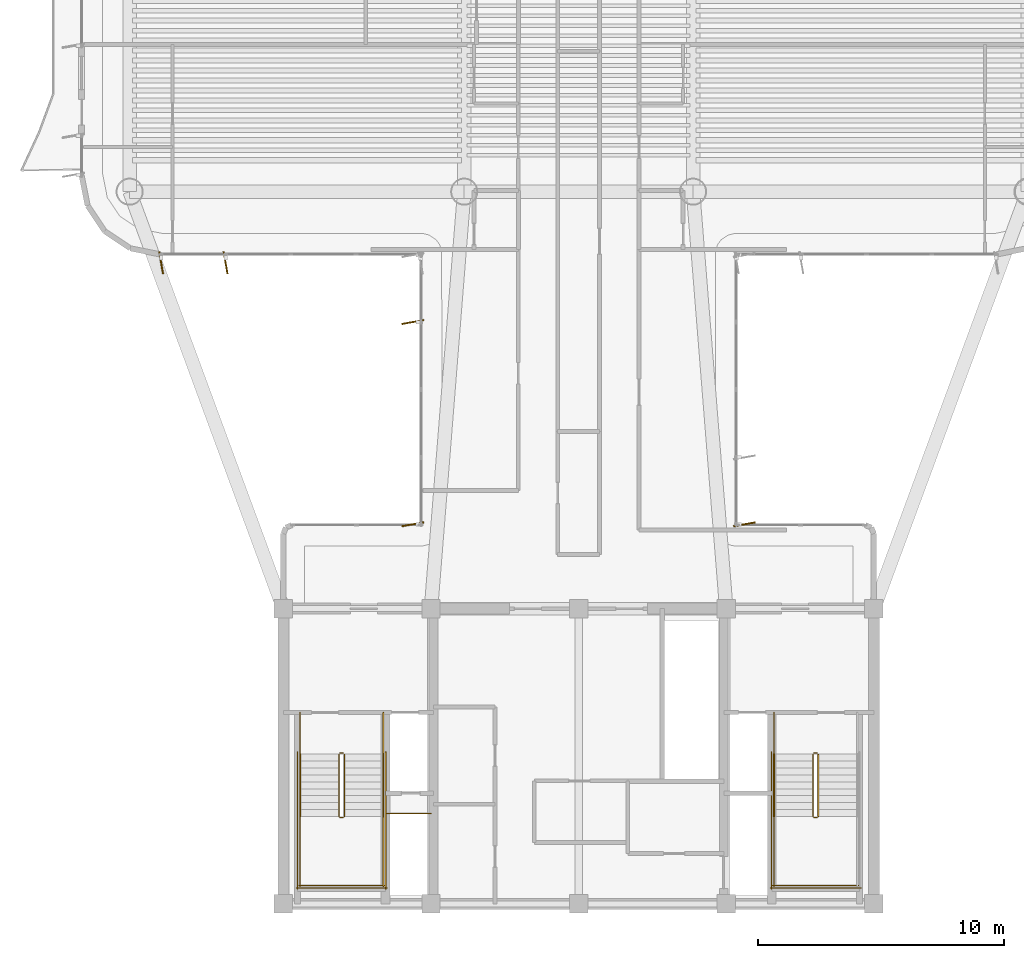
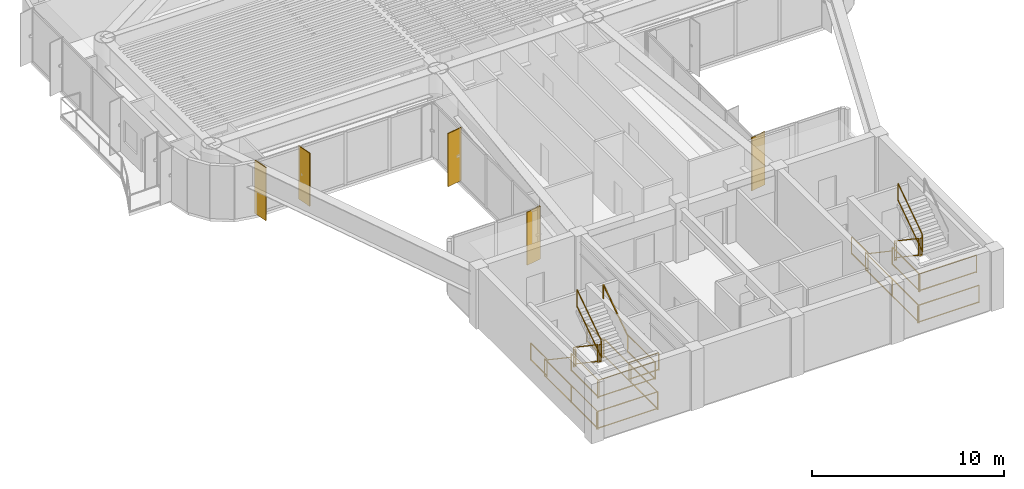
# One storey, part 12 of 13: 25 railings, 5 shading devices.
"""IFC4 building model written with IfcOpenShell, lengths in metres."""

from ifc_helpers import new_model, si_unit, direction, frame, origin, origin_2d, place, context, subcontext, project, spatial, rectangle, extrude, source, transform, mapped, material, layer, layer_set, material_profile, profile_set, type_object, element, save


model = new_model("IFC4")

# Units and contexts
model_context = context("Model", 3, precision=1e-05, world=origin(), true_north=direction((0.0, 1.0)))
body_context = subcontext(model_context, "Body", "Model", "MODEL_VIEW")
ifc_project = project(units=[si_unit("LENGTHUNIT", "METRE"), si_unit("AREAUNIT", "SQUARE_METRE"), si_unit("VOLUMEUNIT", "CUBIC_METRE"), si_unit("PLANEANGLEUNIT", "RADIAN"), si_unit("MASSUNIT", "GRAM", prefix="KILO")], contexts=[model_context])

# Site, building, storey
site_placement = place(None, origin())
site = spatial("IfcSite", under=ifc_project, at=site_placement, CompositionType="ELEMENT")
building_placement = place(site_placement, origin())
building = spatial("IfcBuilding", under=site, at=building_placement, Name="Brelvock Crest Care Tower", CompositionType="ELEMENT")
storey_placement = place(building_placement, frame((0.0, 0.0, 209.340087890625)))
storey = spatial("IfcBuildingStorey", under=building, at=storey_placement, Name="L53", CompositionType="ELEMENT", Elevation=209.340087890625)

# Railings
ifc_material_1 = material(Name="Steel Grade 350", Category="steel")
ifc_layer_1 = layer(ifc_material_1, 0.050048828125, Name="RL-STG1")
ifc_layer_set_1 = layer_set([ifc_layer_1], Name="Steel Grade 350")
railing_type_1 = type_object("IfcRailingType", Name="RL-STG1", PredefinedType="GUARDRAIL", material=ifc_layer_set_1)
railing_1_placement = place(storey_placement, frame((26.260009765625, 12.080078125, 0.18896484375)))
element("IfcRailing", 1, at=railing_1_placement, inside=storey, type_object=railing_type_1, Name="L53 ST-1 stair guard 1", PredefinedType="GUARDRAIL", context=body_context, shape_type="SweptSolid", body=[
    extrude(rectangle(XDim=0.048095703125, YDim=0.048095703125, at=origin_2d()), frame((0.0, -0.001708984375, 1.116943359375), z_axis=(0.0, -0.828861706735, 0.559453546873), x_axis=(1.0, 0.0, 0.0)), (0.0, 0.0, 1.0), 3.036376953125),
    extrude(rectangle(XDim=0.048095703125, YDim=0.048095703125, at=origin_2d()), frame((0.0, -0.001708984375, 0.05615234375), z_axis=(0.0, -0.828861706735, 0.559453546873), x_axis=(1.0, 0.0, 0.0)), (0.0, 0.0, 1.0), 3.036376953125),
    extrude(rectangle(XDim=0.0419921875, YDim=0.0419921875, at=origin_2d()), origin(), (0.0, 0.0, 1.0), 1.08984375),
    extrude(rectangle(XDim=0.0419921875, YDim=0.0419921875, at=origin_2d()), frame((0.0, -2.52001953125, 1.700927734375)), (0.0, 0.0, 1.0), 1.08984375),
])
railing_2_placement = place(storey_placement, frame((26.31005859375, 9.510009765625, 1.889892578125)))
element("IfcRailing", 2, at=railing_2_placement, inside=storey, type_object=railing_type_1, Name="L53 ST-1 stair guard 2", PredefinedType="GUARDRAIL", context=body_context, shape_type="SweptSolid", body=[
    extrude(rectangle(XDim=0.048095703125, YDim=0.048095703125, at=origin_2d()), frame((0.001953125, 0.0, 1.11572265625), z_axis=(1.0, 0.0, 0.0), x_axis=(0.0, 1.0, 0.0)), (0.0, 0.0, 1.0), 0.115966796875),
    extrude(rectangle(XDim=0.048095703125, YDim=0.048095703125, at=origin_2d()), frame((0.001953125, 0.0, 0.054931640625), z_axis=(1.0, 0.0, 0.0), x_axis=(0.0, 1.0, 0.0)), (0.0, 0.0, 1.0), 0.115966796875),
    extrude(rectangle(XDim=0.0419921875, YDim=0.0419921875, at=origin_2d()), origin(), (0.0, 0.0, 1.0), 1.08984375),
    extrude(rectangle(XDim=0.0419921875, YDim=0.0419921875, at=origin_2d()), frame((0.119873046875, 0.0, 0.0)), (0.0, 0.0, 1.0), 1.08984375),
])
for number, where, name in (
    (3, (24.679931640625, 9.56005859375, 1.889892578125), "L53 ST-1 stair guard 3"),
    (4, (28.06005859375, 9.56005859375, 1.889892578125), "L53 ST-1 stair guard 4"),
):
    element("IfcRailing", number, at=place(storey_placement, frame(where)), inside=storey, type_object=railing_type_1, Name=name, PredefinedType="GUARDRAIL", context=body_context, shape_type="SweptSolid", body=[
        extrude(rectangle(XDim=0.048095703125, YDim=0.048095703125, at=origin_2d()), frame((0.0, -0.001953125, 1.11572265625), z_axis=(0.0, -1.0, 0.0), x_axis=(1.0, 0.0, 0.0)), (0.0, 0.0, 1.0), 2.856201171875),
        extrude(rectangle(XDim=0.048095703125, YDim=0.048095703125, at=origin_2d()), frame((0.0, -0.001953125, 0.054931640625), z_axis=(0.0, -1.0, 0.0), x_axis=(1.0, 0.0, 0.0)), (0.0, 0.0, 1.0), 2.856201171875),
        extrude(rectangle(XDim=0.0419921875, YDim=0.0419921875, at=origin_2d()), origin(), (0.0, 0.0, 1.0), 1.08984375),
        extrude(rectangle(XDim=0.0419921875, YDim=0.0419921875, at=origin_2d()), frame((0.0, -2.860107421875, 0.0)), (0.0, 0.0, 1.0), 1.08984375),
    ])
railing_3_placement = place(storey_placement, frame((24.6298828125, 6.75, 1.889892578125)))
element("IfcRailing", 5, at=railing_3_placement, inside=storey, type_object=railing_type_1, Name="L53 ST-1 stair guard 5", PredefinedType="GUARDRAIL", context=body_context, shape_type="SweptSolid", body=[
    extrude(rectangle(XDim=0.048095703125, YDim=0.048095703125, at=origin_2d()), frame((0.001953125, 0.0, 1.11572265625), z_axis=(1.0, 0.0, 0.0), x_axis=(0.0, 1.0, 0.0)), (0.0, 0.0, 1.0), 3.476318359375),
    extrude(rectangle(XDim=0.048095703125, YDim=0.048095703125, at=origin_2d()), frame((0.001953125, 0.0, 0.054931640625), z_axis=(1.0, 0.0, 0.0), x_axis=(0.0, 1.0, 0.0)), (0.0, 0.0, 1.0), 3.476318359375),
    extrude(rectangle(XDim=0.0419921875, YDim=0.0419921875, at=origin_2d()), origin(), (0.0, 0.0, 1.0), 1.08984375),
    extrude(rectangle(XDim=0.0419921875, YDim=0.0419921875, at=origin_2d()), frame((3.480224609375, 0.0, 0.0)), (0.0, 0.0, 1.0), 1.08984375),
])
railing_4_placement = place(storey_placement, frame((26.47998046875, 9.56005859375, 2.078857421875)))
element("IfcRailing", 6, at=railing_4_placement, inside=storey, type_object=railing_type_1, Name="L53 ST-1 stair guard 6", PredefinedType="GUARDRAIL", context=body_context, shape_type="SweptSolid", body=[
    extrude(rectangle(XDim=0.048095703125, YDim=0.048095703125, at=origin_2d()), frame((0.0, 0.001708984375, 1.116943359375), z_axis=(0.0, 0.82882447046, 0.559508710537), x_axis=(-1.0, 0.0, 0.0)), (0.0, 0.0, 1.0), 3.036376953125),
    extrude(rectangle(XDim=0.048095703125, YDim=0.048095703125, at=origin_2d()), frame((0.0, 0.001708984375, 0.05615234375), z_axis=(0.0, 0.82882447046, 0.559508710537), x_axis=(-1.0, 0.0, 0.0)), (0.0, 0.0, 1.0), 3.036376953125),
    extrude(rectangle(XDim=0.0419921875, YDim=0.0419921875, at=origin_2d()), origin(), (0.0, 0.0, 1.0), 1.08984375),
    extrude(rectangle(XDim=0.0419921875, YDim=0.0419921875, at=origin_2d()), frame((0.0, 2.52001953125, 1.701171875)), (0.0, 0.0, 1.0), 1.08984375),
])
railing_5_placement = place(storey_placement, frame((26.31005859375, 12.1298828125, 0.0)))
element("IfcRailing", 7, at=railing_5_placement, inside=storey, type_object=railing_type_1, Name="L53 ST-1 stair guard 7", PredefinedType="GUARDRAIL", context=body_context, shape_type="SweptSolid", body=[
    extrude(rectangle(XDim=0.048095703125, YDim=0.048095703125, at=origin_2d()), frame((0.001953125, 0.0, 1.11572265625), z_axis=(1.0, 0.0, 0.0), x_axis=(0.0, 1.0, 0.0)), (0.0, 0.0, 1.0), 0.115966796875),
    extrude(rectangle(XDim=0.048095703125, YDim=0.048095703125, at=origin_2d()), frame((0.001953125, 0.0, 0.054931640625), z_axis=(1.0, 0.0, 0.0), x_axis=(0.0, 1.0, 0.0)), (0.0, 0.0, 1.0), 0.115966796875),
    extrude(rectangle(XDim=0.0419921875, YDim=0.0419921875, at=origin_2d()), origin(), (0.0, 0.0, 1.0), 1.08984375),
    extrude(rectangle(XDim=0.0419921875, YDim=0.0419921875, at=origin_2d()), frame((0.119873046875, 0.0, 0.0)), (0.0, 0.0, 1.0), 1.08984375),
])
for number, where, name in (
    (8, (24.679931640625, 13.780029296875, 0.0), "L53 ST-1 stair guard 8"),
    (9, (28.06005859375, 13.780029296875, 0.0), "L53 ST-1 stair guard 9"),
):
    element("IfcRailing", number, at=place(storey_placement, frame(where)), inside=storey, type_object=railing_type_1, Name=name, PredefinedType="GUARDRAIL", context=body_context, shape_type="SweptSolid", body=[
        extrude(rectangle(XDim=0.048095703125, YDim=0.048095703125, at=origin_2d()), frame((0.0, -0.001953125, 1.11572265625), z_axis=(0.0, -1.0, 0.0), x_axis=(1.0, 0.0, 0.0)), (0.0, 0.0, 1.0), 1.696044921875),
        extrude(rectangle(XDim=0.048095703125, YDim=0.048095703125, at=origin_2d()), frame((0.0, -0.001953125, 0.054931640625), z_axis=(0.0, -1.0, 0.0), x_axis=(1.0, 0.0, 0.0)), (0.0, 0.0, 1.0), 1.696044921875),
        extrude(rectangle(XDim=0.0419921875, YDim=0.0419921875, at=origin_2d()), origin(), (0.0, 0.0, 1.0), 1.08984375),
        extrude(rectangle(XDim=0.0419921875, YDim=0.0419921875, at=origin_2d()), frame((0.0, -1.699951171875, 0.0)), (0.0, 0.0, 1.0), 1.08984375),
    ])
for number, where, name in (
    (10, (24.580078125, 12.179931640625, 0.0), "L53 ST-1 stair guard 10"),
    (11, (28.159912109375, 12.179931640625, 0.0), "L53 ST-1 stair guard 11"),
):
    element("IfcRailing", number, at=place(storey_placement, frame(where)), inside=storey, type_object=railing_type_1, Name=name, PredefinedType="GUARDRAIL", context=body_context, shape_type="SweptSolid", body=[
        extrude(rectangle(XDim=0.048095703125, YDim=0.048095703125, at=origin_2d()), frame((0.0, -0.001953125, 1.11572265625), z_axis=(0.0, -1.0, 0.0), x_axis=(1.0, 0.0, 0.0)), (0.0, 0.0, 1.0), 5.575927734375),
        extrude(rectangle(XDim=0.048095703125, YDim=0.048095703125, at=origin_2d()), frame((0.0, -0.001953125, 0.054931640625), z_axis=(0.0, -1.0, 0.0), x_axis=(1.0, 0.0, 0.0)), (0.0, 0.0, 1.0), 5.575927734375),
        extrude(rectangle(XDim=0.0419921875, YDim=0.0419921875, at=origin_2d()), origin(), (0.0, 0.0, 1.0), 1.08984375),
        extrude(rectangle(XDim=0.0419921875, YDim=0.0419921875, at=origin_2d()), frame((0.0, -2.7900390625, 0.0)), (0.0, 0.0, 1.0), 1.08984375),
        extrude(rectangle(XDim=0.0419921875, YDim=0.0419921875, at=origin_2d()), frame((0.0, -5.579833984375, 0.0)), (0.0, 0.0, 1.0), 1.08984375),
    ])
railing_6_placement = place(storey_placement, frame((24.530029296875, 6.64990234375, 0.0)))
element("IfcRailing", 12, at=railing_6_placement, inside=storey, type_object=railing_type_1, Name="L53 ST-1 stair guard 12", PredefinedType="GUARDRAIL", context=body_context, shape_type="SweptSolid", body=[
    extrude(rectangle(XDim=0.048095703125, YDim=0.048095703125, at=origin_2d()), frame((0.001953125, 0.0, 1.11572265625), z_axis=(1.0, 0.0, 0.0), x_axis=(0.0, 1.0, 0.0)), (0.0, 0.0, 1.0), 3.676025390625),
    extrude(rectangle(XDim=0.048095703125, YDim=0.048095703125, at=origin_2d()), frame((0.001953125, 0.0, 0.054931640625), z_axis=(1.0, 0.0, 0.0), x_axis=(0.0, 1.0, 0.0)), (0.0, 0.0, 1.0), 3.676025390625),
    extrude(rectangle(XDim=0.0419921875, YDim=0.0419921875, at=origin_2d()), origin(), (0.0, 0.0, 1.0), 1.08984375),
    extrude(rectangle(XDim=0.0419921875, YDim=0.0419921875, at=origin_2d()), frame((3.679931640625, 0.0, 0.0)), (0.0, 0.0, 1.0), 1.08984375),
])
railing_7_placement = place(storey_placement, frame((45.52001953125, 12.080078125, 0.18896484375)))
element("IfcRailing", 13, at=railing_7_placement, inside=storey, type_object=railing_type_1, Name="L53 ST-2 stair guard 1", PredefinedType="GUARDRAIL", context=body_context, shape_type="SweptSolid", body=[
    extrude(rectangle(XDim=0.048095703125, YDim=0.048095703125, at=origin_2d()), frame((0.0, -0.001708984375, 1.116943359375), z_axis=(0.0, -0.828861706735, 0.559453546873), x_axis=(1.0, 0.0, 0.0)), (0.0, 0.0, 1.0), 3.036376953125),
    extrude(rectangle(XDim=0.048095703125, YDim=0.048095703125, at=origin_2d()), frame((0.0, -0.001708984375, 0.05615234375), z_axis=(0.0, -0.828861706735, 0.559453546873), x_axis=(1.0, 0.0, 0.0)), (0.0, 0.0, 1.0), 3.036376953125),
    extrude(rectangle(XDim=0.0419921875, YDim=0.0419921875, at=origin_2d()), origin(), (0.0, 0.0, 1.0), 1.08984375),
    extrude(rectangle(XDim=0.0419921875, YDim=0.0419921875, at=origin_2d()), frame((0.0, -2.52001953125, 1.700927734375)), (0.0, 0.0, 1.0), 1.08984375),
])
railing_8_placement = place(storey_placement, frame((45.570068359375, 9.510009765625, 1.889892578125)))
element("IfcRailing", 14, at=railing_8_placement, inside=storey, type_object=railing_type_1, Name="L53 ST-2 stair guard 2", PredefinedType="GUARDRAIL", context=body_context, shape_type="SweptSolid", body=[
    extrude(rectangle(XDim=0.048095703125, YDim=0.048095703125, at=origin_2d()), frame((0.001953125, 0.0, 1.11572265625), z_axis=(1.0, 0.0, 0.0), x_axis=(0.0, 1.0, 0.0)), (0.0, 0.0, 1.0), 0.115966796875),
    extrude(rectangle(XDim=0.048095703125, YDim=0.048095703125, at=origin_2d()), frame((0.001953125, 0.0, 0.054931640625), z_axis=(1.0, 0.0, 0.0), x_axis=(0.0, 1.0, 0.0)), (0.0, 0.0, 1.0), 0.115966796875),
    extrude(rectangle(XDim=0.0419921875, YDim=0.0419921875, at=origin_2d()), origin(), (0.0, 0.0, 1.0), 1.08984375),
    extrude(rectangle(XDim=0.0419921875, YDim=0.0419921875, at=origin_2d()), frame((0.119873046875, 0.0, 0.0)), (0.0, 0.0, 1.0), 1.08984375),
])
railing_9_placement = place(storey_placement, frame((43.93994140625, 9.56005859375, 1.889892578125)))
element("IfcRailing", 15, at=railing_9_placement, inside=storey, type_object=railing_type_1, Name="L53 ST-2 stair guard 3", PredefinedType="GUARDRAIL", context=body_context, shape_type="SweptSolid", body=[
    extrude(rectangle(XDim=0.048095703125, YDim=0.048095703125, at=origin_2d()), frame((0.0, -0.001953125, 1.11572265625), z_axis=(0.0, -1.0, 0.0), x_axis=(1.0, 0.0, 0.0)), (0.0, 0.0, 1.0), 2.856201171875),
    extrude(rectangle(XDim=0.048095703125, YDim=0.048095703125, at=origin_2d()), frame((0.0, -0.001953125, 0.054931640625), z_axis=(0.0, -1.0, 0.0), x_axis=(1.0, 0.0, 0.0)), (0.0, 0.0, 1.0), 2.856201171875),
    extrude(rectangle(XDim=0.0419921875, YDim=0.0419921875, at=origin_2d()), origin(), (0.0, 0.0, 1.0), 1.08984375),
    extrude(rectangle(XDim=0.0419921875, YDim=0.0419921875, at=origin_2d()), frame((0.0, -2.860107421875, 0.0)), (0.0, 0.0, 1.0), 1.08984375),
])
railing_10_placement = place(storey_placement, frame((43.889892578125, 6.75, 1.889892578125)))
element("IfcRailing", 16, at=railing_10_placement, inside=storey, type_object=railing_type_1, Name="L53 ST-2 stair guard 5", PredefinedType="GUARDRAIL", context=body_context, shape_type="SweptSolid", body=[
    extrude(rectangle(XDim=0.048095703125, YDim=0.048095703125, at=origin_2d()), frame((0.001953125, 0.0, 1.11572265625), z_axis=(1.0, 0.0, 0.0), x_axis=(0.0, 1.0, 0.0)), (0.0, 0.0, 1.0), 3.476318359375),
    extrude(rectangle(XDim=0.048095703125, YDim=0.048095703125, at=origin_2d()), frame((0.001953125, 0.0, 0.054931640625), z_axis=(1.0, 0.0, 0.0), x_axis=(0.0, 1.0, 0.0)), (0.0, 0.0, 1.0), 3.476318359375),
    extrude(rectangle(XDim=0.0419921875, YDim=0.0419921875, at=origin_2d()), origin(), (0.0, 0.0, 1.0), 1.08984375),
    extrude(rectangle(XDim=0.0419921875, YDim=0.0419921875, at=origin_2d()), frame((3.480224609375, 0.0, 0.0)), (0.0, 0.0, 1.0), 1.08984375),
])
railing_11_placement = place(storey_placement, frame((45.739990234375, 9.56005859375, 2.078857421875)))
element("IfcRailing", 17, at=railing_11_placement, inside=storey, type_object=railing_type_1, Name="L53 ST-2 stair guard 6", PredefinedType="GUARDRAIL", context=body_context, shape_type="SweptSolid", body=[
    extrude(rectangle(XDim=0.048095703125, YDim=0.048095703125, at=origin_2d()), frame((0.0, 0.001708984375, 1.116943359375), z_axis=(0.0, 0.82882447046, 0.559508710537), x_axis=(-1.0, 0.0, 0.0)), (0.0, 0.0, 1.0), 3.036376953125),
    extrude(rectangle(XDim=0.048095703125, YDim=0.048095703125, at=origin_2d()), frame((0.0, 0.001708984375, 0.05615234375), z_axis=(0.0, 0.82882447046, 0.559508710537), x_axis=(-1.0, 0.0, 0.0)), (0.0, 0.0, 1.0), 3.036376953125),
    extrude(rectangle(XDim=0.0419921875, YDim=0.0419921875, at=origin_2d()), origin(), (0.0, 0.0, 1.0), 1.08984375),
    extrude(rectangle(XDim=0.0419921875, YDim=0.0419921875, at=origin_2d()), frame((0.0, 2.52001953125, 1.701171875)), (0.0, 0.0, 1.0), 1.08984375),
])
railing_12_placement = place(storey_placement, frame((45.570068359375, 12.1298828125, 0.0)))
element("IfcRailing", 18, at=railing_12_placement, inside=storey, type_object=railing_type_1, Name="L53 ST-2 stair guard 7", PredefinedType="GUARDRAIL", context=body_context, shape_type="SweptSolid", body=[
    extrude(rectangle(XDim=0.048095703125, YDim=0.048095703125, at=origin_2d()), frame((0.001953125, 0.0, 1.11572265625), z_axis=(1.0, 0.0, 0.0), x_axis=(0.0, 1.0, 0.0)), (0.0, 0.0, 1.0), 0.115966796875),
    extrude(rectangle(XDim=0.048095703125, YDim=0.048095703125, at=origin_2d()), frame((0.001953125, 0.0, 0.054931640625), z_axis=(1.0, 0.0, 0.0), x_axis=(0.0, 1.0, 0.0)), (0.0, 0.0, 1.0), 0.115966796875),
    extrude(rectangle(XDim=0.0419921875, YDim=0.0419921875, at=origin_2d()), origin(), (0.0, 0.0, 1.0), 1.08984375),
    extrude(rectangle(XDim=0.0419921875, YDim=0.0419921875, at=origin_2d()), frame((0.119873046875, 0.0, 0.0)), (0.0, 0.0, 1.0), 1.08984375),
])
railing_13_placement = place(storey_placement, frame((43.93994140625, 13.780029296875, 0.0)))
element("IfcRailing", 19, at=railing_13_placement, inside=storey, type_object=railing_type_1, Name="L53 ST-2 stair guard 8", PredefinedType="GUARDRAIL", context=body_context, shape_type="SweptSolid", body=[
    extrude(rectangle(XDim=0.048095703125, YDim=0.048095703125, at=origin_2d()), frame((0.0, -0.001953125, 1.11572265625), z_axis=(0.0, -1.0, 0.0), x_axis=(1.0, 0.0, 0.0)), (0.0, 0.0, 1.0), 1.696044921875),
    extrude(rectangle(XDim=0.048095703125, YDim=0.048095703125, at=origin_2d()), frame((0.0, -0.001953125, 0.054931640625), z_axis=(0.0, -1.0, 0.0), x_axis=(1.0, 0.0, 0.0)), (0.0, 0.0, 1.0), 1.696044921875),
    extrude(rectangle(XDim=0.0419921875, YDim=0.0419921875, at=origin_2d()), origin(), (0.0, 0.0, 1.0), 1.08984375),
    extrude(rectangle(XDim=0.0419921875, YDim=0.0419921875, at=origin_2d()), frame((0.0, -1.699951171875, 0.0)), (0.0, 0.0, 1.0), 1.08984375),
])
railing_14_placement = place(storey_placement, frame((43.840087890625, 12.179931640625, 0.0)))
element("IfcRailing", 20, at=railing_14_placement, inside=storey, type_object=railing_type_1, Name="L53 ST-2 stair guard 10", PredefinedType="GUARDRAIL", context=body_context, shape_type="SweptSolid", body=[
    extrude(rectangle(XDim=0.048095703125, YDim=0.048095703125, at=origin_2d()), frame((0.0, -0.001953125, 1.11572265625), z_axis=(0.0, -1.0, 0.0), x_axis=(1.0, 0.0, 0.0)), (0.0, 0.0, 1.0), 5.575927734375),
    extrude(rectangle(XDim=0.048095703125, YDim=0.048095703125, at=origin_2d()), frame((0.0, -0.001953125, 0.054931640625), z_axis=(0.0, -1.0, 0.0), x_axis=(1.0, 0.0, 0.0)), (0.0, 0.0, 1.0), 5.575927734375),
    extrude(rectangle(XDim=0.0419921875, YDim=0.0419921875, at=origin_2d()), origin(), (0.0, 0.0, 1.0), 1.08984375),
    extrude(rectangle(XDim=0.0419921875, YDim=0.0419921875, at=origin_2d()), frame((0.0, -2.7900390625, 0.0)), (0.0, 0.0, 1.0), 1.08984375),
    extrude(rectangle(XDim=0.0419921875, YDim=0.0419921875, at=origin_2d()), frame((0.0, -5.579833984375, 0.0)), (0.0, 0.0, 1.0), 1.08984375),
])
railing_15_placement = place(storey_placement, frame((43.7900390625, 6.64990234375, 0.0)))
element("IfcRailing", 21, at=railing_15_placement, inside=storey, type_object=railing_type_1, Name="L53 ST-2 stair guard 12", PredefinedType="GUARDRAIL", context=body_context, shape_type="SweptSolid", body=[
    extrude(rectangle(XDim=0.048095703125, YDim=0.048095703125, at=origin_2d()), frame((0.001953125, 0.0, 1.11572265625), z_axis=(1.0, 0.0, 0.0), x_axis=(0.0, 1.0, 0.0)), (0.0, 0.0, 1.0), 3.676025390625),
    extrude(rectangle(XDim=0.048095703125, YDim=0.048095703125, at=origin_2d()), frame((0.001953125, 0.0, 0.054931640625), z_axis=(1.0, 0.0, 0.0), x_axis=(0.0, 1.0, 0.0)), (0.0, 0.0, 1.0), 3.676025390625),
    extrude(rectangle(XDim=0.0419921875, YDim=0.0419921875, at=origin_2d()), origin(), (0.0, 0.0, 1.0), 1.08984375),
    extrude(rectangle(XDim=0.0419921875, YDim=0.0419921875, at=origin_2d()), frame((3.679931640625, 0.0, 0.0)), (0.0, 0.0, 1.0), 1.08984375),
])
railing_16_placement = place(storey_placement, frame((28.219970703125, 9.679931640625, 0.0)))
element("IfcRailing", 22, at=railing_16_placement, inside=storey, type_object=railing_type_1, Name="L53 Fire Riser Threshold Guard", PredefinedType="GUARDRAIL", context=body_context, shape_type="SweptSolid", body=[
    extrude(rectangle(XDim=0.048095703125, YDim=0.048095703125, at=origin_2d()), frame((0.001953125, 0.0, 1.11572265625), z_axis=(1.0, 0.0, 0.0), x_axis=(0.0, 1.0, 0.0)), (0.0, 0.0, 1.0), 1.776123046875),
    extrude(rectangle(XDim=0.048095703125, YDim=0.048095703125, at=origin_2d()), frame((0.001953125, 0.0, 0.054931640625), z_axis=(1.0, 0.0, 0.0), x_axis=(0.0, 1.0, 0.0)), (0.0, 0.0, 1.0), 1.776123046875),
    extrude(rectangle(XDim=0.0419921875, YDim=0.0419921875, at=origin_2d()), origin(), (0.0, 0.0, 1.0), 1.08984375),
    extrude(rectangle(XDim=0.0419921875, YDim=0.0419921875, at=origin_2d()), frame((1.780029296875, 0.0, 0.0)), (0.0, 0.0, 1.0), 1.08984375),
])
ifc_layer_2 = layer(ifc_material_1, 0.048095703125, Name="RL-STH1")
ifc_layer_set_2 = layer_set([ifc_layer_2], Name="Steel Grade 350")
railing_type_2 = type_object("IfcRailingType", Name="RL-STH1", PredefinedType="HANDRAIL", material=ifc_layer_set_2)
railing_17_placement = place(storey_placement, frame((24.679931640625, 12.080078125, 0.18896484375)))
element("IfcRailing", 23, at=railing_17_placement, inside=storey, type_object=railing_type_2, Name="L53 ST-1 stair handrail 1", PredefinedType="HANDRAIL", context=body_context, shape_type="SweptSolid", body=[
    extrude(rectangle(XDim=0.048095703125, YDim=0.048095703125, at=origin_2d()), frame((0.0, -0.001708984375, 0.876953125), z_axis=(0.0, -0.828861706735, 0.559453546873), x_axis=(1.0, 0.0, 0.0)), (0.0, 0.0, 1.0), 3.036376953125),
    extrude(rectangle(XDim=0.0419921875, YDim=0.0419921875, at=origin_2d()), origin(), (0.0, 0.0, 1.0), 0.849853515625),
    extrude(rectangle(XDim=0.0419921875, YDim=0.0419921875, at=origin_2d()), frame((0.0, -2.52001953125, 1.700927734375)), (0.0, 0.0, 1.0), 0.849853515625),
])
railing_18_placement = place(storey_placement, frame((28.06005859375, 9.56005859375, 2.078857421875)))
element("IfcRailing", 24, at=railing_18_placement, inside=storey, type_object=railing_type_2, Name="L53 ST-1 stair handrail 2", PredefinedType="HANDRAIL", context=body_context, shape_type="SweptSolid", body=[
    extrude(rectangle(XDim=0.048095703125, YDim=0.048095703125, at=origin_2d()), frame((0.0, 0.001708984375, 0.876953125), z_axis=(0.0, 0.82882447046, 0.559508710537), x_axis=(-1.0, 0.0, 0.0)), (0.0, 0.0, 1.0), 3.036376953125),
    extrude(rectangle(XDim=0.0419921875, YDim=0.0419921875, at=origin_2d()), origin(), (0.0, 0.0, 1.0), 0.849853515625),
    extrude(rectangle(XDim=0.0419921875, YDim=0.0419921875, at=origin_2d()), frame((0.0, 2.52001953125, 1.701171875)), (0.0, 0.0, 1.0), 0.849853515625),
])
railing_19_placement = place(storey_placement, frame((43.93994140625, 12.080078125, 0.18896484375)))
element("IfcRailing", 25, at=railing_19_placement, inside=storey, type_object=railing_type_2, Name="L53 ST-2 stair handrail 1", PredefinedType="HANDRAIL", context=body_context, shape_type="SweptSolid", body=[
    extrude(rectangle(XDim=0.048095703125, YDim=0.048095703125, at=origin_2d()), frame((0.0, -0.001708984375, 0.876953125), z_axis=(0.0, -0.828861706735, 0.559453546873), x_axis=(1.0, 0.0, 0.0)), (0.0, 0.0, 1.0), 3.036376953125),
    extrude(rectangle(XDim=0.0419921875, YDim=0.0419921875, at=origin_2d()), origin(), (0.0, 0.0, 1.0), 0.849853515625),
    extrude(rectangle(XDim=0.0419921875, YDim=0.0419921875, at=origin_2d()), frame((0.0, -2.52001953125, 1.700927734375)), (0.0, 0.0, 1.0), 0.849853515625),
])

# Shading devices
ifc_material_2 = material(Name="Aluminium 6063-T6", Category="aluminium")
ifc_material_profile = material_profile(ifc_material_2, rectangle(XDim=0.054931640625, YDim=0.89990234375, at=origin_2d()), Name="FIN55x900")
ifc_profile_set = profile_set([ifc_material_profile], Name="Aluminium 6063-T6")
shading_device_type = type_object("IfcShadingDeviceType", Name="SHD-FIN1", PredefinedType="USERDEFINED", material=ifc_profile_set)
shared_shape = source(origin(), body_context, "Body", "SweptSolid", [
    extrude(rectangle(XDim=0.054931640625, YDim=0.89990234375, at=origin_2d()), origin(), (0.0, 0.0, 1.0), 3.371826171875),
])
for number, where, z_axis, x_axis, name in (
    (26, (29.260009765625, 21.429931640625, 0.0), (0.0, 0.0, 1.0), (-0.173648177667, 0.984807753012, 0.0), "L53 Vertical Sunshade Fin E11-01"),
    (27, (29.260009765625, 29.64990234375, 0.0), (0.0, 0.0, 1.0), (-0.173648177667, 0.984807753012, 0.0), "L53 Vertical Sunshade Fin E11-04"),
    (28, (21.64990234375, 32.06005859375, 0.0), (0.0, 0.0, 1.0), (-0.984807753012, -0.173648177667, 0.0), "L53 Vertical Sunshade Fin E12-04"),
    (29, (19.030029296875, 32.06005859375, 0.0), (0.0, 0.0, 1.0), (-0.984807753012, -0.173648177667, 0.0), "L53 Vertical Sunshade Fin E12-05"),
    (30, (42.739990234375, 21.429931640625, 0.0), (0.0, 0.0, 1.0), (0.173648177667, -0.984807753012, 0.0), "L53 Vertical Sunshade Fin E45-05"),
):
    element("IfcShadingDevice", number, at=place(storey_placement, frame(where, z_axis=z_axis, x_axis=x_axis)), inside=storey, type_object=shading_device_type, Name=name, ObjectType="FIN", PredefinedType="USERDEFINED", context=body_context, shape_type="MappedRepresentation", body=[
        mapped(shared_shape, transform((0.0, 0.0, 0.0), x_axis=(1.0, 0.0, 0.0), y_axis=(0.0, 1.0, 0.0), z_axis=(0.0, 0.0, 1.0), scale=1.0)),
    ])

save(model, "model.ifc")
